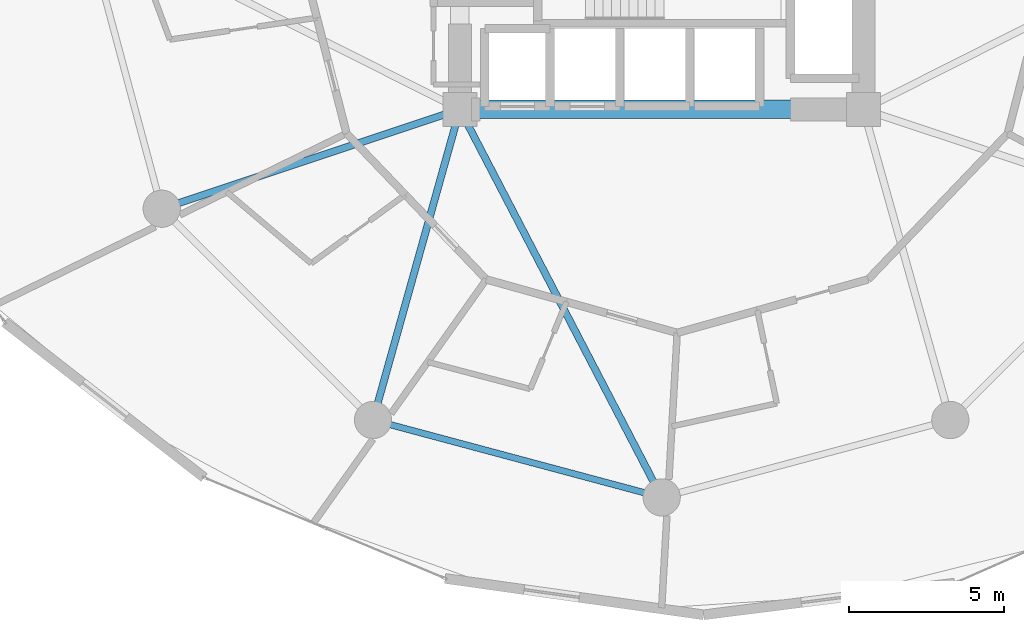
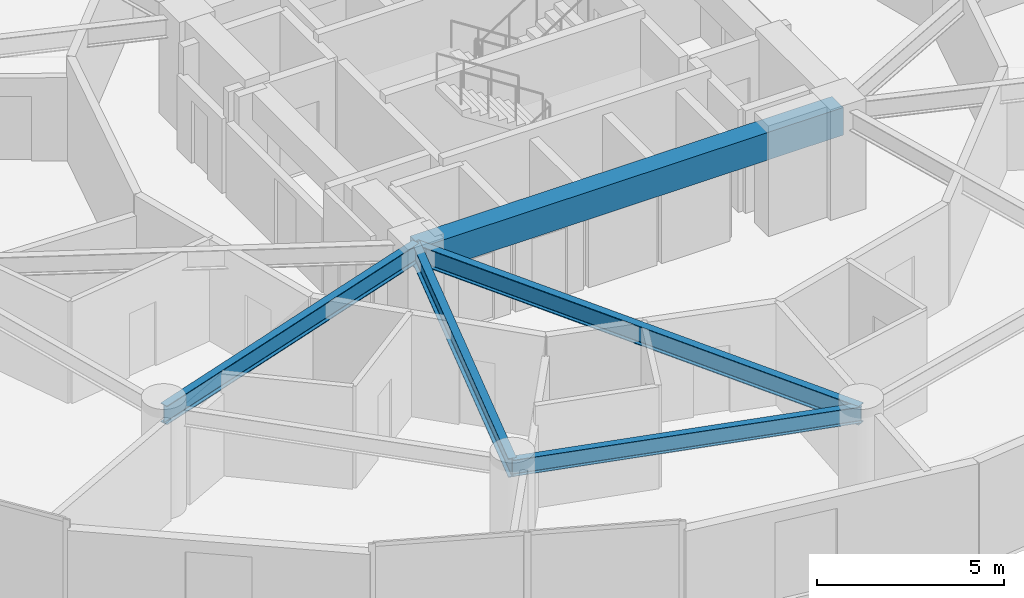
# One storey, part 5 of 25: 5 beams.
"""IFC4 building model written with IfcOpenShell, lengths in metres."""

from ifc_helpers import new_model, si_unit, direction, frame, origin, origin_2d, place, context, subcontext, project, spatial, rectangle, i_section, extrude, material, material_profile, profile_set, type_object, element, save


model = new_model("IFC4")

# Units and contexts
model_context = context("Model", 3, precision=1e-05, world=origin(), true_north=direction((0.0, 1.0)))
body_context = subcontext(model_context, "Body", "Model", "MODEL_VIEW")
ifc_project = project(units=[si_unit("LENGTHUNIT", "METRE"), si_unit("AREAUNIT", "SQUARE_METRE"), si_unit("VOLUMEUNIT", "CUBIC_METRE"), si_unit("PLANEANGLEUNIT", "RADIAN"), si_unit("MASSUNIT", "GRAM", prefix="KILO")], contexts=[model_context])

# Site, building, storey
site_placement = place(None, origin())
site = spatial("IfcSite", under=ifc_project, at=site_placement, CompositionType="ELEMENT")
building_placement = place(site_placement, origin())
building = spatial("IfcBuilding", under=site, at=building_placement, Name="Solvirekh Grand Hotel", CompositionType="ELEMENT")
storey_placement = place(building_placement, frame((0.0, 0.0, 60.800048828125)))
storey = spatial("IfcBuildingStorey", under=building, at=storey_placement, Name="L14", CompositionType="ELEMENT", Elevation=60.800048828125)

# Beams
ifc_material_1 = material(Name="Concrete C50/60", Category="concrete")
ifc_material_profile_1 = material_profile(ifc_material_1, rectangle(XDim=0.60009765625, YDim=0.89990234375, at=origin_2d()), Name="RC BEAM 600X900")
ifc_profile_set_1 = profile_set([ifc_material_profile_1], Name="Concrete C50/60")
beam_type_1 = type_object("IfcBeamType", Name="Beam_Core_RC900", PredefinedType="BEAM", material=ifc_profile_set_1)
beam_1_placement = place(storey_placement, frame((-6.5, -6.10009765625, 2.889892578125), z_axis=(1.0, 0.0, 0.0), x_axis=(0.0, 1.0, 0.0)))
element("IfcBeam", 1, at=beam_1_placement, inside=storey, type_object=beam_type_1, Name="L14 core coupling ring beam 1", PredefinedType="BEAM", context=body_context, shape_type="SweptSolid", body=[
    extrude(rectangle(XDim=0.60009765625, YDim=0.89990234375, at=origin_2d()), origin(), (0.0, 0.0, 1.0), 13.0),
])
ifc_material_2 = material(Name="Steel S355", Category="steel")
ifc_material_profile_2 = material_profile(ifc_material_2, i_section(OverallWidth=0.22998046875, OverallDepth=0.615966796875, WebThickness=0.013916015625, FlangeThickness=0.02392578125, FilletRadius=0.014892578125, at=origin_2d()), Name="W610X174")
ifc_profile_set_2 = profile_set([ifc_material_profile_2], Name="Steel S355")
beam_type_2 = type_object("IfcBeamType", Name="Beam_Primary_W610H", PredefinedType="BEAM", material=ifc_profile_set_2)
beam_2_placement = place(storey_placement, frame((-6.5, -6.10009765625, 3.031982421875), z_axis=(-0.948762825819, -0.315989082635, 0.0), x_axis=(0.315989082635, -0.948762825819, 0.0)))
element("IfcBeam", 2, at=beam_2_placement, inside=storey, type_object=beam_type_2, Name="L14 radial floor beam R08", PredefinedType="BEAM", context=body_context, shape_type="SweptSolid", body=[
    extrude(i_section(OverallWidth=0.22998046875, OverallDepth=0.615966796875, WebThickness=0.013916015625, FlangeThickness=0.02392578125, FilletRadius=0.014892578125, at=origin_2d()), origin(), (0.0, 0.0, 1.0), 10.126708984375),
])
beam_3_placement = place(storey_placement, frame((-6.5, -6.10009765625, 3.031982421875), z_axis=(-0.269439084681, -0.963017434757, 0.0), x_axis=(0.963017434757, -0.269439084681, 0.0)))
element("IfcBeam", 3, at=beam_3_placement, inside=storey, type_object=beam_type_2, Name="L14 radial floor beam R09", PredefinedType="BEAM", context=body_context, shape_type="SweptSolid", body=[
    extrude(i_section(OverallWidth=0.22998046875, OverallDepth=0.615966796875, WebThickness=0.013916015625, FlangeThickness=0.02392578125, FilletRadius=0.014892578125, at=origin_2d()), origin(), (0.0, 0.0, 1.0), 10.39208984375),
])
beam_4_placement = place(storey_placement, frame((-6.5, -6.10009765625, 3.031982421875), z_axis=(0.461352736642, -0.887216801235, 0.0), x_axis=(0.887216801235, 0.461352736642, 0.0)))
element("IfcBeam", 4, at=beam_4_placement, inside=storey, type_object=beam_type_2, Name="L14 radial floor beam R10", PredefinedType="BEAM", context=body_context, shape_type="SweptSolid", body=[
    extrude(i_section(OverallWidth=0.22998046875, OverallDepth=0.615966796875, WebThickness=0.013916015625, FlangeThickness=0.02392578125, FilletRadius=0.014892578125, at=origin_2d()), origin(), (0.0, 0.0, 1.0), 14.089111328125),
])
ifc_material_profile_3 = material_profile(ifc_material_2, i_section(OverallWidth=0.208984375, OverallDepth=0.532958984375, WebThickness=0.010009765625, FlangeThickness=0.014892578125, FilletRadius=0.013916015625, at=origin_2d()), Name="W530X92")
ifc_profile_set_3 = profile_set([ifc_material_profile_3], Name="Steel S355")
beam_type_3 = type_object("IfcBeamType", Name="Spandrel_Ring_W530", PredefinedType="SPANDREL", material=ifc_profile_set_3)
beam_5_placement = place(storey_placement, frame((-9.300048828125, -16.10791015625, 3.072998046875), z_axis=(0.965919414426, -0.258842973314, 0.0), x_axis=(0.258842973314, 0.965919414426, 0.0)))
element("IfcBeam", 5, at=beam_5_placement, inside=storey, type_object=beam_type_3, Name="L14 perimeter spandrel beam 9", PredefinedType="SPANDREL", context=body_context, shape_type="SweptSolid", body=[
    extrude(i_section(OverallWidth=0.208984375, OverallDepth=0.532958984375, WebThickness=0.010009765625, FlangeThickness=0.014892578125, FilletRadius=0.013916015625, at=origin_2d()), origin(), (0.0, 0.0, 1.0), 9.628173828125),
])

save(model, "model.ifc")
